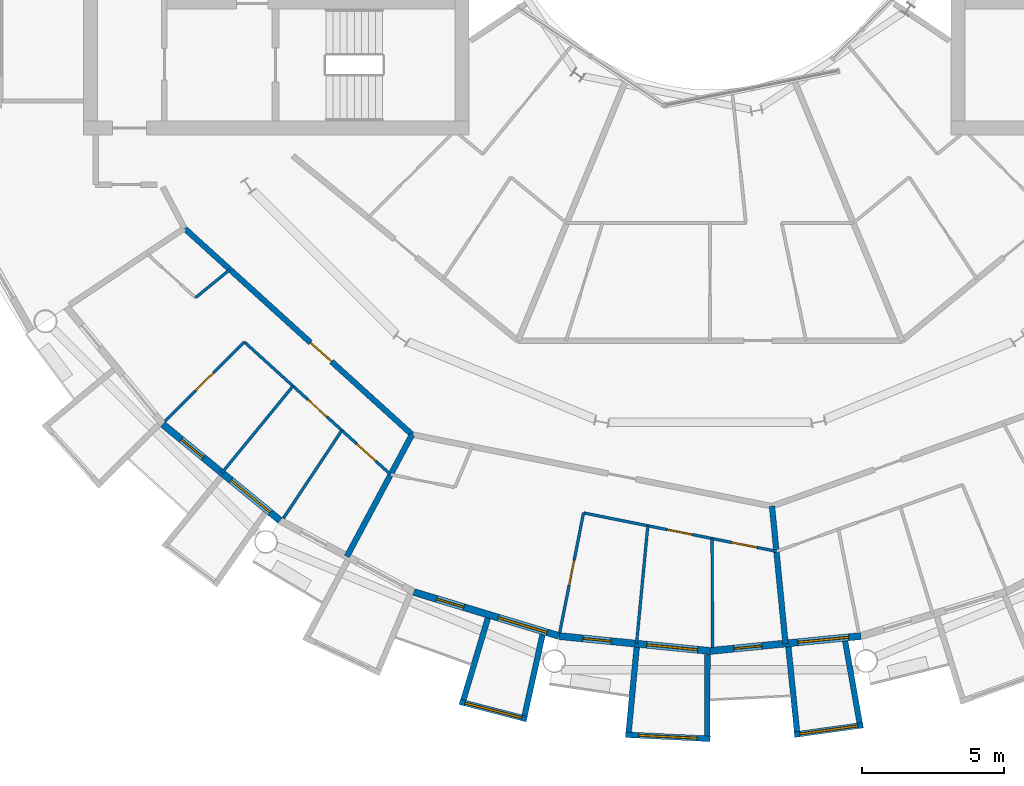
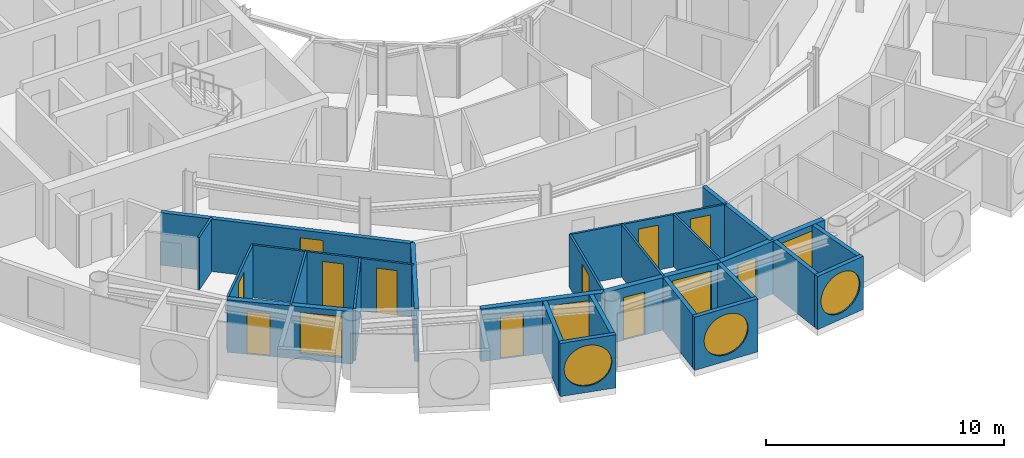
# One storey, part 14 of 28: 25 walls, 11 doors, 7 windows, 18 openings.
"""IFC4 building model written with IfcOpenShell, lengths in metres."""

from ifc_helpers import new_model, si_unit, direction, frame, frame_2d, origin, place, context, subcontext, project, spatial, rectangle, circle, extrude, material, layer, layer_set, type_object, element, fill, save


model = new_model("IFC4")

# Units and contexts
model_context = context("Model", 3, precision=1e-05, world=origin(), true_north=direction((0.0, 1.0)))
body_context = subcontext(model_context, "Body", "Model", "MODEL_VIEW")
ifc_project = project(units=[si_unit("LENGTHUNIT", "METRE"), si_unit("AREAUNIT", "SQUARE_METRE"), si_unit("VOLUMEUNIT", "CUBIC_METRE"), si_unit("PLANEANGLEUNIT", "RADIAN"), si_unit("MASSUNIT", "GRAM", prefix="KILO")], contexts=[model_context])

# Site, building, storey
site_placement = place(None, origin())
site = spatial("IfcSite", under=ifc_project, at=site_placement, CompositionType="ELEMENT")
building_placement = place(site_placement, origin())
building = spatial("IfcBuilding", under=site, at=building_placement, Name="Maasbend Ring Residences", CompositionType="ELEMENT")
storey_placement = place(building_placement, frame((0.0, 0.0, 173.800048828125)))
storey = spatial("IfcBuildingStorey", under=building, at=storey_placement, Name="L50", CompositionType="ELEMENT", Elevation=173.800048828125)

# Wall, opening, door
ifc_material_1 = material(Name="Concrete C30/37", Category="concrete")
ifc_layer_1 = layer(ifc_material_1, 0.199951171875)
ifc_layer_set_1 = layer_set([ifc_layer_1], Name="Concrete C30/37")
wall_type_1 = type_object("IfcWallType", Name="CORRIDOR WALL 200 CONCRETE", PredefinedType="PARTITIONING", material=ifc_layer_set_1)
wall_1_placement = place(storey_placement, frame((-18.5419921875, -12.388916015625, 0.0), z_axis=(0.0, 0.0, 1.0), x_axis=(0.740947367223, -0.671563101283, 0.0)))
wall_1 = element("IfcWall", 1, at=wall_1_placement, inside=storey, type_object=wall_type_1, Name="U-L50-w014", PredefinedType="PARTITIONING", context=body_context, shape_type="SweptSolid", body=[
    extrude(rectangle(XDim=10.83740234375, YDim=0.199951171875, at=frame_2d((5.418701171875, 0.0))), origin(), (0.0, 0.0, 1.0), 2.699951171875),
])
opening_1_placement = place(wall_1_placement, frame((6.001953125, 0.0, 0.0)))
opening_1 = element("IfcOpeningElement", 2, at=opening_1_placement, cuts=wall_1, Name="Opening D-5033", PredefinedType="OPENING", context=body_context, shape_type="SweptSolid", body=[
    extrude(rectangle(XDim=1.0, YDim=2.300048828125, at=frame_2d((0.5, 1.14990234375))), frame((0.0, 0.10986328125, 0.0), z_axis=(0.0, -1.0, 0.0), x_axis=(1.0, 0.0, 0.0)), (0.0, 0.0, 1.0), 0.219970703125),
])
ifc_material_2 = material(Name="Timber, fire-rated, painted", Category="wood")
door_type_1 = type_object("IfcDoorType", Name="FLAT ENTRANCE DOOR 1000 X 2300 FIRE-RATED", OperationType="NOTDEFINED", PredefinedType="DOOR", material=ifc_material_2)
door_1_placement = place(opening_1_placement, origin())
door_1 = element("IfcDoor", 3, at=door_1_placement, inside=storey, type_object=door_type_1, Name="D-5033", OperationType="SINGLE_SWING_RIGHT", OverallHeight=2.300048828125, OverallWidth=1.0, PredefinedType="DOOR", context=body_context, shape_type="SweptSolid", body=[
    extrude(rectangle(XDim=1.0, YDim=2.300048828125, at=frame_2d((0.5, 1.14990234375))), frame((0.0, 0.02490234375, 0.0), z_axis=(0.0, -1.0, 0.0), x_axis=(1.0, 0.0, 0.0)), (0.0, 0.0, 1.0), 0.050048828125),
])
fill(opening_1, door_1)

# Wall, opening, window
ifc_material_3 = material(Name="Pale anodised aluminium panel", Category="aluminium")
ifc_layer_2 = layer(ifc_material_3, 0.199951171875)
ifc_layer_set_2 = layer_set([ifc_layer_2], Name="EW-BOX")
wall_type_2 = type_object("IfcWallType", Name="EW-BOX", PredefinedType="SOLIDWALL", material=ifc_layer_set_2)
wall_2_placement = place(storey_placement, frame((-8.8291015625, -29.090087890625, -0.030029296875), z_axis=(0.0, 0.0, 1.0), x_axis=(0.96789536872, -0.251353446784, 0.0)))
wall_2 = element("IfcWall", 4, at=wall_2_placement, inside=storey, type_object=wall_type_2, Name="Box front S08", PredefinedType="SOLIDWALL", context=body_context, shape_type="SweptSolid", body=[
    extrude(rectangle(XDim=2.44677734375, YDim=0.199951171875, at=frame_2d((1.223388671875, 0.0))), origin(), (0.0, 0.0, 1.0), 2.72998046875),
])
opening_2_placement = place(wall_2_placement, frame((0.182861328125, 0.0, 0.330078125)))
opening_2 = element("IfcOpeningElement", 5, at=opening_2_placement, cuts=wall_2, Name="Opening W-RD", PredefinedType="OPENING", context=body_context, shape_type="SweptSolid", body=[
    extrude(circle(Radius=1.0400390625, at=frame_2d((1.0400390625, 1.0400390625))), frame((0.0, 0.10986328125, 0.0), z_axis=(0.0, -1.0, 0.0), x_axis=(1.0, 0.0, 0.0)), (0.0, 0.0, 1.0), 0.219970703125),
])
ifc_material_4 = material(Name="Aluminium and clear glass", Category="aluminium")
window_type_1 = type_object("IfcWindowType", Name="W-RD", PartitioningType="SINGLE_PANEL", PredefinedType="WINDOW", material=ifc_material_4)
window_1_placement = place(opening_2_placement, origin())
window_1 = element("IfcWindow", 6, at=window_1_placement, inside=storey, type_object=window_type_1, Name="Round window S08", OverallHeight=2.080078125, OverallWidth=2.080078125, PartitioningType="SINGLE_PANEL", PredefinedType="WINDOW", context=body_context, shape_type="SweptSolid", body=[
    extrude(circle(Radius=1.0400390625, at=frame_2d((1.0400390625, 1.0400390625))), frame((0.0, 0.030029296875, 0.0), z_axis=(0.0, -1.0, 0.0), x_axis=(1.0, 0.0, 0.0)), (0.0, 0.0, 1.0), 0.06005859375),
])
fill(opening_2, window_1)

# Walls
wall_3_placement = place(storey_placement, frame((-7.8369140625, -26.14404296875, -0.030029296875), z_axis=(0.0, 0.0, 1.0), x_axis=(-0.287064767992, -0.957911174889, 0.0)))
element("IfcWall", 7, at=wall_3_placement, inside=storey, type_object=wall_type_2, Name="Box side wall S08 left", PredefinedType="SOLIDWALL", context=body_context, shape_type="SweptSolid", body=[
    extrude(rectangle(XDim=3.00634765625, YDim=0.199951171875, at=frame_2d((1.503173828125, 0.0))), origin(), (0.0, 0.0, 1.0), 2.72998046875),
])
wall_4_placement = place(storey_placement, frame((-5.908935546875, -26.72900390625, -0.030029296875), z_axis=(0.0, 0.0, 1.0), x_axis=(-0.216409053917, -0.976302781612, 0.0)))
element("IfcWall", 8, at=wall_4_placement, inside=storey, type_object=wall_type_2, Name="Box side wall S08 right", PredefinedType="SOLIDWALL", context=body_context, shape_type="SweptSolid", body=[
    extrude(rectangle(XDim=2.92529296875, YDim=0.199951171875, at=frame_2d((1.462646484375, 0.0))), origin(), (0.0, 0.0, 1.0), 2.72998046875),
])

# Wall, opening, window
wall_5_placement = place(storey_placement, frame((-2.985107421875, -30.2529296875, -0.030029296875), z_axis=(0.0, 0.0, 1.0), x_axis=(0.998794083011, -0.049095618353, 0.0)))
wall_5 = element("IfcWall", 9, at=wall_5_placement, inside=storey, type_object=wall_type_2, Name="Box front S10", PredefinedType="SOLIDWALL", context=body_context, shape_type="SweptSolid", body=[
    extrude(rectangle(XDim=2.99365234375, YDim=0.199951171875, at=frame_2d((1.496826171875, 0.0))), origin(), (0.0, 0.0, 1.0), 2.72998046875),
])
opening_3_placement = place(wall_5_placement, frame((0.45654296875, 0.0, 0.330078125)))
opening_3 = element("IfcOpeningElement", 10, at=opening_3_placement, cuts=wall_5, Name="Opening W-RD", PredefinedType="OPENING", context=body_context, shape_type="SweptSolid", body=[
    extrude(circle(Radius=1.0400390625, at=frame_2d((1.0400390625, 1.0400390625))), frame((0.0, 0.10986328125, 0.0), z_axis=(0.0, -1.0, 0.0), x_axis=(1.0, 0.0, 0.0)), (0.0, 0.0, 1.0), 0.219970703125),
])
window_2_placement = place(opening_3_placement, origin())
window_2 = element("IfcWindow", 11, at=window_2_placement, inside=storey, type_object=window_type_1, Name="Round window S10", OverallHeight=2.080078125, OverallWidth=2.080078125, PartitioningType="SINGLE_PANEL", PredefinedType="WINDOW", context=body_context, shape_type="SweptSolid", body=[
    extrude(circle(Radius=1.0400390625, at=frame_2d((1.0400390625, 1.0400390625))), frame((0.0, 0.030029296875, 0.0), z_axis=(0.0, -1.0, 0.0), x_axis=(1.0, 0.0, 0.0)), (0.0, 0.0, 1.0), 0.06005859375),
])
fill(opening_3, window_2)

# Walls
wall_6_placement = place(storey_placement, frame((-2.5859375, -27.1708984375, -0.030029296875), z_axis=(0.0, 0.0, 1.0), x_axis=(-0.094548432284, -0.995520262954, 0.0)))
element("IfcWall", 12, at=wall_6_placement, inside=storey, type_object=wall_type_2, Name="Box side wall S10 left", PredefinedType="SOLIDWALL", context=body_context, shape_type="SweptSolid", body=[
    extrude(rectangle(XDim=3.005615234375, YDim=0.199951171875, at=frame_2d((1.5029296875, 0.0))), origin(), (0.0, 0.0, 1.0), 2.72998046875),
])
wall_7_placement = place(storey_placement, frame((-0.090087890625, -27.4169921875, -0.030029296875), z_axis=(0.0, 0.0, 1.0), x_axis=(-0.00347308367, -0.999993968827, 0.0)))
element("IfcWall", 13, at=wall_7_placement, inside=storey, type_object=wall_type_2, Name="Box side wall S10 right", PredefinedType="SOLIDWALL", context=body_context, shape_type="SweptSolid", body=[
    extrude(rectangle(XDim=2.882080078125, YDim=0.199951171875, at=frame_2d((1.44091796875, 0.0))), origin(), (0.0, 0.0, 1.0), 2.72998046875),
])

# Wall, opening, window
wall_8_placement = place(storey_placement, frame((2.97607421875, -30.25390625, -0.030029296875), z_axis=(0.0, 0.0, 1.0), x_axis=(0.990462016113, 0.137786046596, 0.0)))
wall_8 = element("IfcWall", 14, at=wall_8_placement, inside=storey, type_object=wall_type_2, Name="Box front S12", PredefinedType="SOLIDWALL", context=body_context, shape_type="SweptSolid", body=[
    extrude(rectangle(XDim=2.4453125, YDim=0.199951171875, at=frame_2d((1.22265625, 0.0))), origin(), (0.0, 0.0, 1.0), 2.72998046875),
])
opening_4_placement = place(wall_8_placement, frame((0.182861328125, 0.0, 0.330078125)))
opening_4 = element("IfcOpeningElement", 15, at=opening_4_placement, cuts=wall_8, Name="Opening W-RD", PredefinedType="OPENING", context=body_context, shape_type="SweptSolid", body=[
    extrude(circle(Radius=1.0400390625, at=frame_2d((1.0400390625, 1.0400390625))), frame((0.0, 0.10986328125, 0.0), z_axis=(0.0, -1.0, 0.0), x_axis=(1.0, 0.0, 0.0)), (0.0, 0.0, 1.0), 0.219970703125),
])
window_3_placement = place(opening_4_placement, origin())
window_3 = element("IfcWindow", 16, at=window_3_placement, inside=storey, type_object=window_type_1, Name="Round window S12", OverallHeight=2.080078125, OverallWidth=2.080078125, PartitioningType="SINGLE_PANEL", PredefinedType="WINDOW", context=body_context, shape_type="SweptSolid", body=[
    extrude(circle(Radius=1.0400390625, at=frame_2d((1.0400390625, 1.0400390625))), frame((0.0, 0.030029296875, 0.0), z_axis=(0.0, -1.0, 0.0), x_axis=(1.0, 0.0, 0.0)), (0.0, 0.0, 1.0), 0.06005859375),
])
fill(opening_4, window_3)

# Walls
wall_9_placement = place(storey_placement, frame((2.763916015625, -27.153076171875, -0.030029296875), z_axis=(0.0, 0.0, 1.0), x_axis=(0.101505487237, -0.994834979311, 0.0)))
element("IfcWall", 17, at=wall_9_placement, inside=storey, type_object=wall_type_2, Name="Box side wall S12 left", PredefinedType="SOLIDWALL", context=body_context, shape_type="SweptSolid", body=[
    extrude(rectangle(XDim=3.006591796875, YDim=0.199951171875, at=frame_2d((1.50341796875, 0.0))), origin(), (0.0, 0.0, 1.0), 2.72998046875),
])
wall_10_placement = place(storey_placement, frame((4.76904296875, -26.9560546875, -0.030029296875), z_axis=(0.0, 0.0, 1.0), x_axis=(0.174056778901, -0.984735618183, 0.0)))
element("IfcWall", 18, at=wall_10_placement, inside=storey, type_object=wall_type_2, Name="Box side wall S12 right", PredefinedType="SOLIDWALL", context=body_context, shape_type="SweptSolid", body=[
    extrude(rectangle(XDim=2.924560546875, YDim=0.199951171875, at=frame_2d((1.46240234375, 0.0))), origin(), (0.0, 0.0, 1.0), 2.72998046875),
])

# Wall, openings, door, window
ifc_material_5 = material(Name="Aluminium clad insulated panel", Category="aluminium")
ifc_layer_3 = layer(ifc_material_5, 0.25)
ifc_layer_set_3 = layer_set([ifc_layer_3], Name="EW-GL")
wall_type_3 = type_object("IfcWallType", Name="EW-GL", PredefinedType="SOLIDWALL", material=ifc_layer_set_3)
wall_11_placement = place(storey_placement, frame((-19.303955078125, -19.303955078125, 0.0), z_axis=(0.0, 0.0, 1.0), x_axis=(0.773019449054, -0.634382322723, 0.0)))
wall_11 = element("IfcWall", 19, at=wall_11_placement, inside=storey, type_object=wall_type_3, Name="External wall S02", PredefinedType="SOLIDWALL", context=body_context, shape_type="SweptSolid", body=[
    extrude(rectangle(XDim=5.351806640625, YDim=0.25, at=frame_2d((2.67578125, 0.0))), origin(), (0.0, 0.0, 1.0), 2.699951171875),
])
opening_5_placement = place(wall_11_placement, frame((0.841064453125, 0.0, 0.0)))
opening_5 = element("IfcOpeningElement", 20, at=opening_5_placement, cuts=wall_11, Name="Opening D-LG", PredefinedType="OPENING", context=body_context, shape_type="SweptSolid", body=[
    extrude(rectangle(XDim=1.0, YDim=2.199951171875, at=frame_2d((0.5, 1.10009765625))), frame((0.0, 0.135009765625, 0.0), z_axis=(0.0, -1.0, 0.0), x_axis=(1.0, 0.0, 0.0)), (0.0, 0.0, 1.0), 0.27001953125),
])
opening_6_placement = place(wall_11_placement, frame((3.110595703125, 0.0, 0.300048828125)))
opening_6 = element("IfcOpeningElement", 21, at=opening_6_placement, cuts=wall_11, Name="Opening W-BX", PredefinedType="OPENING", context=body_context, shape_type="SweptSolid", body=[
    extrude(rectangle(XDim=1.800048828125, YDim=2.10009765625, at=frame_2d((0.89990234375, 1.050048828125))), frame((0.0, 0.135009765625, 0.0), z_axis=(0.0, -1.0, 0.0), x_axis=(1.0, 0.0, 0.0)), (0.0, 0.0, 1.0), 0.27001953125),
])
ifc_material_6 = material(Name="Aluminium and clear glass", Category="aluminium")
door_type_2 = type_object("IfcDoorType", Name="D-LG", OperationType="SINGLE_SWING_LEFT", PredefinedType="DOOR", material=ifc_material_6)
door_2_placement = place(opening_5_placement, origin())
door_2 = element("IfcDoor", 22, at=door_2_placement, inside=storey, type_object=door_type_2, Name="Loggia door S03", OperationType="SINGLE_SWING_LEFT", OverallHeight=2.199951171875, OverallWidth=1.0, PredefinedType="DOOR", context=body_context, shape_type="SweptSolid", body=[
    extrude(rectangle(XDim=1.0, YDim=2.199951171875, at=frame_2d((0.5, 1.10009765625))), frame((0.0, 0.02490234375, 0.0), z_axis=(0.0, -1.0, 0.0), x_axis=(1.0, 0.0, 0.0)), (0.0, 0.0, 1.0), 0.050048828125),
])
fill(opening_5, door_2)
ifc_material_7 = material(Name="Aluminium and clear glass", Category="aluminium")
window_type_2 = type_object("IfcWindowType", Name="W-BX", PartitioningType="DOUBLE_PANEL_VERTICAL", PredefinedType="WINDOW", material=ifc_material_7)
window_4_placement = place(opening_6_placement, origin())
window_4 = element("IfcWindow", 23, at=window_4_placement, inside=storey, type_object=window_type_2, Name="Window S04 room to box", OverallHeight=2.10009765625, OverallWidth=1.800048828125, PartitioningType="SINGLE_PANEL", PredefinedType="WINDOW", context=body_context, shape_type="SweptSolid", body=[
    extrude(rectangle(XDim=1.800048828125, YDim=2.10009765625, at=frame_2d((0.89990234375, 1.050048828125))), frame((0.0, 0.030029296875, 0.0), z_axis=(0.0, -1.0, 0.0), x_axis=(1.0, 0.0, 0.0)), (0.0, 0.0, 1.0), 0.06005859375),
])
fill(opening_6, window_4)

wall_12_placement = place(storey_placement, frame((-10.447021484375, -25.221923828125, 0.0), z_axis=(0.0, 0.0, 1.0), x_axis=(0.956965678721, -0.290201119486, 0.0)))
wall_12 = element("IfcWall", 24, at=wall_12_placement, inside=storey, type_object=wall_type_3, Name="External wall S04", PredefinedType="SOLIDWALL", context=body_context, shape_type="SweptSolid", body=[
    extrude(rectangle(XDim=5.351318359375, YDim=0.25, at=frame_2d((2.67578125, 0.0))), origin(), (0.0, 0.0, 1.0), 2.699951171875),
])
opening_7_placement = place(wall_12_placement, frame((0.841064453125, 0.0, 0.0)))
opening_7 = element("IfcOpeningElement", 25, at=opening_7_placement, cuts=wall_12, Name="Opening D-LG", PredefinedType="OPENING", context=body_context, shape_type="SweptSolid", body=[
    extrude(rectangle(XDim=1.0, YDim=2.199951171875, at=frame_2d((0.5, 1.10009765625))), frame((0.0, 0.135009765625, 0.0), z_axis=(0.0, -1.0, 0.0), x_axis=(1.0, 0.0, 0.0)), (0.0, 0.0, 1.0), 0.27001953125),
])
opening_8_placement = place(wall_12_placement, frame((3.110595703125, 0.0, 0.300048828125)))
opening_8 = element("IfcOpeningElement", 26, at=opening_8_placement, cuts=wall_12, Name="Opening W-BX", PredefinedType="OPENING", context=body_context, shape_type="SweptSolid", body=[
    extrude(rectangle(XDim=1.800048828125, YDim=2.10009765625, at=frame_2d((0.89990234375, 1.050048828125))), frame((0.0, 0.135009765625, 0.0), z_axis=(0.0, -1.0, 0.0), x_axis=(1.0, 0.0, 0.0)), (0.0, 0.0, 1.0), 0.27001953125),
])
door_3_placement = place(opening_7_placement, origin())
door_3 = element("IfcDoor", 27, at=door_3_placement, inside=storey, type_object=door_type_2, Name="Loggia door S07", OperationType="SINGLE_SWING_LEFT", OverallHeight=2.199951171875, OverallWidth=1.0, PredefinedType="DOOR", context=body_context, shape_type="SweptSolid", body=[
    extrude(rectangle(XDim=1.0, YDim=2.199951171875, at=frame_2d((0.5, 1.10009765625))), frame((0.0, 0.02490234375, 0.0), z_axis=(0.0, -1.0, 0.0), x_axis=(1.0, 0.0, 0.0)), (0.0, 0.0, 1.0), 0.050048828125),
])
fill(opening_7, door_3)
window_5_placement = place(opening_8_placement, origin())
window_5 = element("IfcWindow", 28, at=window_5_placement, inside=storey, type_object=window_type_2, Name="Window S08 room to box", OverallHeight=2.10009765625, OverallWidth=1.800048828125, PartitioningType="SINGLE_PANEL", PredefinedType="WINDOW", context=body_context, shape_type="SweptSolid", body=[
    extrude(rectangle(XDim=1.800048828125, YDim=2.10009765625, at=frame_2d((0.89990234375, 1.050048828125))), frame((0.0, 0.030029296875, 0.0), z_axis=(0.0, -1.0, 0.0), x_axis=(1.0, 0.0, 0.0)), (0.0, 0.0, 1.0), 0.06005859375),
])
fill(opening_8, window_5)

wall_13_placement = place(storey_placement, frame((-5.325927734375, -26.77490234375, 0.0), z_axis=(0.0, 0.0, 1.0), x_axis=(0.995173996315, -0.098126026407, 0.0)))
wall_13 = element("IfcWall", 29, at=wall_13_placement, inside=storey, type_object=wall_type_3, Name="External wall S05", PredefinedType="SOLIDWALL", context=body_context, shape_type="SweptSolid", body=[
    extrude(rectangle(XDim=5.351806640625, YDim=0.25, at=frame_2d((2.67578125, 0.0))), origin(), (0.0, 0.0, 1.0), 2.699951171875),
])
opening_9_placement = place(wall_13_placement, frame((0.841064453125, 0.0, 0.0)))
opening_9 = element("IfcOpeningElement", 30, at=opening_9_placement, cuts=wall_13, Name="Opening D-LG", PredefinedType="OPENING", context=body_context, shape_type="SweptSolid", body=[
    extrude(rectangle(XDim=1.0, YDim=2.199951171875, at=frame_2d((0.5, 1.10009765625))), frame((0.0, 0.135009765625, 0.0), z_axis=(0.0, -1.0, 0.0), x_axis=(1.0, 0.0, 0.0)), (0.0, 0.0, 1.0), 0.27001953125),
])
opening_10_placement = place(wall_13_placement, frame((3.110595703125, 0.0, 0.300048828125)))
opening_10 = element("IfcOpeningElement", 31, at=opening_10_placement, cuts=wall_13, Name="Opening W-BX", PredefinedType="OPENING", context=body_context, shape_type="SweptSolid", body=[
    extrude(rectangle(XDim=1.800048828125, YDim=2.10009765625, at=frame_2d((0.89990234375, 1.050048828125))), frame((0.0, 0.135009765625, 0.0), z_axis=(0.0, -1.0, 0.0), x_axis=(1.0, 0.0, 0.0)), (0.0, 0.0, 1.0), 0.27001953125),
])
door_4_placement = place(opening_9_placement, origin())
door_4 = element("IfcDoor", 32, at=door_4_placement, inside=storey, type_object=door_type_2, Name="Loggia door S09", OperationType="SINGLE_SWING_LEFT", OverallHeight=2.199951171875, OverallWidth=1.0, PredefinedType="DOOR", context=body_context, shape_type="SweptSolid", body=[
    extrude(rectangle(XDim=1.0, YDim=2.199951171875, at=frame_2d((0.5, 1.10009765625))), frame((0.0, 0.02490234375, 0.0), z_axis=(0.0, -1.0, 0.0), x_axis=(1.0, 0.0, 0.0)), (0.0, 0.0, 1.0), 0.050048828125),
])
fill(opening_9, door_4)
window_6_placement = place(opening_10_placement, origin())
window_6 = element("IfcWindow", 33, at=window_6_placement, inside=storey, type_object=window_type_2, Name="Window S10 room to box", OverallHeight=2.10009765625, OverallWidth=1.800048828125, PartitioningType="SINGLE_PANEL", PredefinedType="WINDOW", context=body_context, shape_type="SweptSolid", body=[
    extrude(rectangle(XDim=1.800048828125, YDim=2.10009765625, at=frame_2d((0.89990234375, 1.050048828125))), frame((0.0, 0.030029296875, 0.0), z_axis=(0.0, -1.0, 0.0), x_axis=(1.0, 0.0, 0.0)), (0.0, 0.0, 1.0), 0.06005859375),
])
fill(opening_10, window_6)

wall_14_placement = place(storey_placement, frame((0.0, -27.300048828125, 0.0), z_axis=(0.0, 0.0, 1.0), x_axis=(0.995173996315, 0.098126026407, 0.0)))
wall_14 = element("IfcWall", 34, at=wall_14_placement, inside=storey, type_object=wall_type_3, Name="External wall S06", PredefinedType="SOLIDWALL", context=body_context, shape_type="SweptSolid", body=[
    extrude(rectangle(XDim=5.351806640625, YDim=0.25, at=frame_2d((2.67578125, 0.0))), origin(), (0.0, 0.0, 1.0), 2.699951171875),
])
opening_11_placement = place(wall_14_placement, frame((0.841064453125, 0.0, 0.0)))
opening_11 = element("IfcOpeningElement", 35, at=opening_11_placement, cuts=wall_14, Name="Opening D-LG", PredefinedType="OPENING", context=body_context, shape_type="SweptSolid", body=[
    extrude(rectangle(XDim=1.0, YDim=2.199951171875, at=frame_2d((0.5, 1.10009765625))), frame((0.0, 0.135009765625, 0.0), z_axis=(0.0, -1.0, 0.0), x_axis=(1.0, 0.0, 0.0)), (0.0, 0.0, 1.0), 0.27001953125),
])
opening_12_placement = place(wall_14_placement, frame((3.110595703125, 0.0, 0.300048828125)))
opening_12 = element("IfcOpeningElement", 36, at=opening_12_placement, cuts=wall_14, Name="Opening W-BX", PredefinedType="OPENING", context=body_context, shape_type="SweptSolid", body=[
    extrude(rectangle(XDim=1.800048828125, YDim=2.10009765625, at=frame_2d((0.89990234375, 1.050048828125))), frame((0.0, 0.135009765625, 0.0), z_axis=(0.0, -1.0, 0.0), x_axis=(1.0, 0.0, 0.0)), (0.0, 0.0, 1.0), 0.27001953125),
])
door_5_placement = place(opening_11_placement, origin())
door_5 = element("IfcDoor", 37, at=door_5_placement, inside=storey, type_object=door_type_2, Name="Loggia door S11", OperationType="SINGLE_SWING_LEFT", OverallHeight=2.199951171875, OverallWidth=1.0, PredefinedType="DOOR", context=body_context, shape_type="SweptSolid", body=[
    extrude(rectangle(XDim=1.0, YDim=2.199951171875, at=frame_2d((0.5, 1.10009765625))), frame((0.0, 0.02490234375, 0.0), z_axis=(0.0, -1.0, 0.0), x_axis=(1.0, 0.0, 0.0)), (0.0, 0.0, 1.0), 0.050048828125),
])
fill(opening_11, door_5)
window_7_placement = place(opening_12_placement, origin())
window_7 = element("IfcWindow", 38, at=window_7_placement, inside=storey, type_object=window_type_2, Name="Window S12 room to box", OverallHeight=2.10009765625, OverallWidth=1.800048828125, PartitioningType="SINGLE_PANEL", PredefinedType="WINDOW", context=body_context, shape_type="SweptSolid", body=[
    extrude(rectangle(XDim=1.800048828125, YDim=2.10009765625, at=frame_2d((0.89990234375, 1.050048828125))), frame((0.0, 0.030029296875, 0.0), z_axis=(0.0, -1.0, 0.0), x_axis=(1.0, 0.0, 0.0)), (0.0, 0.0, 1.0), 0.06005859375),
])
fill(opening_12, window_7)

# Wall, openings, doors
ifc_material_8 = material(Name="Gypsum board on steel studs", Category="steel")
ifc_layer_4 = layer(ifc_material_8, 0.10009765625)
ifc_layer_set_4 = layer_set([ifc_layer_4], Name="PARTITION 100 GYPSUM")
wall_type_4 = type_object("IfcWallType", Name="PARTITION 100 GYPSUM", PredefinedType="PARTITIONING", material=ifc_layer_set_4)
wall_15_placement = place(storey_placement, frame((-16.431884765625, -16.39599609375, 0.0), z_axis=(0.0, 0.0, 1.0), x_axis=(0.740901429238, -0.671613781986, 0.0)))
wall_15 = element("IfcWall", 39, at=wall_15_placement, inside=storey, type_object=wall_type_4, Name="U-L50-w004", PredefinedType="PARTITIONING", context=body_context, shape_type="SweptSolid", body=[
    extrude(rectangle(XDim=6.9697265625, YDim=0.10009765625, at=frame_2d((3.48486328125, 0.0))), origin(), (0.0, 0.0, 1.0), 2.699951171875),
])
opening_13_placement = place(wall_15_placement, frame((3.0380859375, 0.0, 0.0)))
opening_13 = element("IfcOpeningElement", 40, at=opening_13_placement, cuts=wall_15, Name="Opening D-5036", PredefinedType="OPENING", context=body_context, shape_type="SweptSolid", body=[
    extrude(rectangle(XDim=0.89990234375, YDim=2.300048828125, at=frame_2d((0.449951171875, 1.14990234375))), frame((0.0, 0.06005859375, 0.0), z_axis=(0.0, -1.0, 0.0), x_axis=(1.0, 0.0, 0.0)), (0.0, 0.0, 1.0), 0.1201171875),
])
opening_14_placement = place(wall_15_placement, frame((5.360107421875, 0.0, 0.0)))
opening_14 = element("IfcOpeningElement", 41, at=opening_14_placement, cuts=wall_15, Name="Opening D-5037", PredefinedType="OPENING", context=body_context, shape_type="SweptSolid", body=[
    extrude(rectangle(XDim=0.89990234375, YDim=2.300048828125, at=frame_2d((0.449951171875, 1.14990234375))), frame((0.0, 0.06005859375, 0.0), z_axis=(0.0, -1.0, 0.0), x_axis=(1.0, 0.0, 0.0)), (0.0, 0.0, 1.0), 0.1201171875),
])
ifc_material_9 = material(Name="Timber, painted", Category="wood")
door_type_3 = type_object("IfcDoorType", Name="INTERNAL DOOR 900 X 2300", OperationType="NOTDEFINED", PredefinedType="DOOR", material=ifc_material_9)
door_6_placement = place(opening_13_placement, origin())
door_6 = element("IfcDoor", 42, at=door_6_placement, inside=storey, type_object=door_type_3, Name="D-5036", OperationType="SINGLE_SWING_RIGHT", OverallHeight=2.300048828125, OverallWidth=0.89990234375, PredefinedType="DOOR", context=body_context, shape_type="SweptSolid", body=[
    extrude(rectangle(XDim=0.89990234375, YDim=2.300048828125, at=frame_2d((0.449951171875, 1.14990234375))), frame((0.0, 0.02490234375, 0.0), z_axis=(0.0, -1.0, 0.0), x_axis=(1.0, 0.0, 0.0)), (0.0, 0.0, 1.0), 0.050048828125),
])
fill(opening_13, door_6)
door_7_placement = place(opening_14_placement, origin())
door_7 = element("IfcDoor", 43, at=door_7_placement, inside=storey, type_object=door_type_3, Name="D-5037", OperationType="SINGLE_SWING_RIGHT", OverallHeight=2.300048828125, OverallWidth=0.89990234375, PredefinedType="DOOR", context=body_context, shape_type="SweptSolid", body=[
    extrude(rectangle(XDim=0.89990234375, YDim=2.300048828125, at=frame_2d((0.449951171875, 1.14990234375))), frame((0.0, 0.02490234375, 0.0), z_axis=(0.0, -1.0, 0.0), x_axis=(1.0, 0.0, 0.0)), (0.0, 0.0, 1.0), 0.050048828125),
])
fill(opening_14, door_7)

wall_16_placement = place(storey_placement, frame((-4.4619140625, -22.430908203125, 0.0), z_axis=(0.0, 0.0, 1.0), x_axis=(0.980773728025, -0.195148390759, 0.0)))
wall_16 = element("IfcWall", 44, at=wall_16_placement, inside=storey, type_object=wall_type_4, Name="U-L50-w008", PredefinedType="PARTITIONING", context=body_context, shape_type="SweptSolid", body=[
    extrude(rectangle(XDim=6.938232421875, YDim=0.10009765625, at=frame_2d((3.46923828125, 0.0))), origin(), (0.0, 0.0, 1.0), 2.699951171875),
])
opening_15_placement = place(wall_16_placement, frame((3.01806640625, 0.0, 0.0)))
opening_15 = element("IfcOpeningElement", 45, at=opening_15_placement, cuts=wall_16, Name="Opening D-5041", PredefinedType="OPENING", context=body_context, shape_type="SweptSolid", body=[
    extrude(rectangle(XDim=0.89990234375, YDim=2.300048828125, at=frame_2d((0.449951171875, 1.14990234375))), frame((0.0, 0.06005859375, 0.0), z_axis=(0.0, -1.0, 0.0), x_axis=(1.0, 0.0, 0.0)), (0.0, 0.0, 1.0), 0.1201171875),
])
opening_16_placement = place(wall_16_placement, frame((5.33203125, 0.0, 0.0)))
opening_16 = element("IfcOpeningElement", 46, at=opening_16_placement, cuts=wall_16, Name="Opening D-5042", PredefinedType="OPENING", context=body_context, shape_type="SweptSolid", body=[
    extrude(rectangle(XDim=0.89990234375, YDim=2.300048828125, at=frame_2d((0.449951171875, 1.14990234375))), frame((0.0, 0.06005859375, 0.0), z_axis=(0.0, -1.0, 0.0), x_axis=(1.0, 0.0, 0.0)), (0.0, 0.0, 1.0), 0.1201171875),
])
door_8_placement = place(opening_15_placement, origin())
door_8 = element("IfcDoor", 47, at=door_8_placement, inside=storey, type_object=door_type_3, Name="D-5041", OperationType="SINGLE_SWING_LEFT", OverallHeight=2.300048828125, OverallWidth=0.89990234375, PredefinedType="DOOR", context=body_context, shape_type="SweptSolid", body=[
    extrude(rectangle(XDim=0.89990234375, YDim=2.300048828125, at=frame_2d((0.449951171875, 1.14990234375))), frame((0.0, 0.02490234375, 0.0), z_axis=(0.0, -1.0, 0.0), x_axis=(1.0, 0.0, 0.0)), (0.0, 0.0, 1.0), 0.050048828125),
])
fill(opening_15, door_8)
door_9_placement = place(opening_16_placement, origin())
door_9 = element("IfcDoor", 48, at=door_9_placement, inside=storey, type_object=door_type_3, Name="D-5042", OperationType="SINGLE_SWING_RIGHT", OverallHeight=2.300048828125, OverallWidth=0.89990234375, PredefinedType="DOOR", context=body_context, shape_type="SweptSolid", body=[
    extrude(rectangle(XDim=0.89990234375, YDim=2.300048828125, at=frame_2d((0.449951171875, 1.14990234375))), frame((0.0, 0.02490234375, 0.0), z_axis=(0.0, -1.0, 0.0), x_axis=(1.0, 0.0, 0.0)), (0.0, 0.0, 1.0), 0.050048828125),
])
fill(opening_16, door_9)

# Wall, opening, door
wall_17_placement = place(storey_placement, frame((-19.23388671875, -19.197021484375, 0.0), z_axis=(0.0, 0.0, 1.0), x_axis=(0.707722727509, 0.706490297858, 0.0)))
wall_17 = element("IfcWall", 49, at=wall_17_placement, inside=storey, type_object=wall_type_4, Name="U-L50-w035", PredefinedType="PARTITIONING", context=body_context, shape_type="SweptSolid", body=[
    extrude(rectangle(XDim=3.9619140625, YDim=0.10009765625, at=frame_2d((1.98095703125, 0.0))), origin(), (0.0, 0.0, 1.0), 2.699951171875),
])
opening_17_placement = place(wall_17_placement, frame((1.531005859375, 0.0, 0.0)))
opening_17 = element("IfcOpeningElement", 50, at=opening_17_placement, cuts=wall_17, Name="Opening D-5035", PredefinedType="OPENING", context=body_context, shape_type="SweptSolid", body=[
    extrude(rectangle(XDim=0.89990234375, YDim=2.300048828125, at=frame_2d((0.449951171875, 1.14990234375))), frame((0.0, 0.06005859375, 0.0), z_axis=(0.0, -1.0, 0.0), x_axis=(1.0, 0.0, 0.0)), (0.0, 0.0, 1.0), 0.1201171875),
])
door_10_placement = place(opening_17_placement, origin())
door_10 = element("IfcDoor", 51, at=door_10_placement, inside=storey, type_object=door_type_3, Name="D-5035", OperationType="SINGLE_SWING_LEFT", OverallHeight=2.300048828125, OverallWidth=0.89990234375, PredefinedType="DOOR", context=body_context, shape_type="SweptSolid", body=[
    extrude(rectangle(XDim=0.89990234375, YDim=2.300048828125, at=frame_2d((0.449951171875, 1.14990234375))), frame((0.0, 0.02490234375, 0.0), z_axis=(0.0, -1.0, 0.0), x_axis=(1.0, 0.0, 0.0)), (0.0, 0.0, 1.0), 0.050048828125),
])
fill(opening_17, door_10)

# Walls
wall_18_placement = place(storey_placement, frame((-18.15087890625, -14.837890625, 0.0), z_axis=(0.0, 0.0, 1.0), x_axis=(0.774283039722, 0.632839453889, 0.0)))
element("IfcWall", 52, at=wall_18_placement, inside=storey, type_object=wall_type_4, Name="U-L50-w037", PredefinedType="PARTITIONING", context=body_context, shape_type="SweptSolid", body=[
    extrude(rectangle(XDim=1.569091796875, YDim=0.10009765625, at=frame_2d((0.78466796875, 0.0))), origin(), (0.0, 0.0, 1.0), 2.699951171875),
])
wall_19_placement = place(storey_placement, frame((-17.222900390625, -21.02001953125, 0.0), z_axis=(0.0, 0.0, 1.0), x_axis=(0.633858457021, 0.773449065203, 0.0)))
element("IfcWall", 53, at=wall_19_placement, inside=storey, type_object=wall_type_4, Name="U-L50-w039", PredefinedType="PARTITIONING", context=body_context, shape_type="SweptSolid", body=[
    extrude(rectangle(XDim=3.96142578125, YDim=0.10009765625, at=frame_2d((1.980712890625, 0.0))), origin(), (0.0, 0.0, 1.0), 2.699951171875),
])
wall_20_placement = place(storey_placement, frame((-15.053955078125, -22.6240234375, 0.0), z_axis=(0.0, 0.0, 1.0), x_axis=(0.553823887887, 0.83263383381, 0.0)))
element("IfcWall", 54, at=wall_20_placement, inside=storey, type_object=wall_type_4, Name="U-L50-w040", PredefinedType="PARTITIONING", context=body_context, shape_type="SweptSolid", body=[
    extrude(rectangle(XDim=3.730224609375, YDim=0.10009765625, at=frame_2d((1.865234375, 0.0))), origin(), (0.0, 0.0, 1.0), 2.699951171875),
])

# Wall, opening, door
wall_21_placement = place(storey_placement, frame((-5.302001953125, -26.653076171875, 0.0), z_axis=(0.0, 0.0, 1.0), x_axis=(0.195145394338, 0.98077432423, 0.0)))
wall_21 = element("IfcWall", 55, at=wall_21_placement, inside=storey, type_object=wall_type_4, Name="U-L50-w053", PredefinedType="PARTITIONING", context=body_context, shape_type="SweptSolid", body=[
    extrude(rectangle(XDim=4.304931640625, YDim=0.10009765625, at=frame_2d((2.15234375, 0.0))), origin(), (0.0, 0.0, 1.0), 2.699951171875),
])
opening_18_placement = place(wall_21_placement, frame((1.701904296875, 0.0, 0.0)))
opening_18 = element("IfcOpeningElement", 56, at=opening_18_placement, cuts=wall_21, Name="Opening D-5040", PredefinedType="OPENING", context=body_context, shape_type="SweptSolid", body=[
    extrude(rectangle(XDim=0.89990234375, YDim=2.300048828125, at=frame_2d((0.449951171875, 1.14990234375))), frame((0.0, 0.06005859375, 0.0), z_axis=(0.0, -1.0, 0.0), x_axis=(1.0, 0.0, 0.0)), (0.0, 0.0, 1.0), 0.1201171875),
])
door_11_placement = place(opening_18_placement, origin())
door_11 = element("IfcDoor", 57, at=door_11_placement, inside=storey, type_object=door_type_3, Name="D-5040", OperationType="SINGLE_SWING_RIGHT", OverallHeight=2.300048828125, OverallWidth=0.89990234375, PredefinedType="DOOR", context=body_context, shape_type="SweptSolid", body=[
    extrude(rectangle(XDim=0.89990234375, YDim=2.300048828125, at=frame_2d((0.449951171875, 1.14990234375))), frame((0.0, 0.02490234375, 0.0), z_axis=(0.0, -1.0, 0.0), x_axis=(1.0, 0.0, 0.0)), (0.0, 0.0, 1.0), 0.050048828125),
])
fill(opening_18, door_11)

# Walls
wall_22_placement = place(storey_placement, frame((-2.593017578125, -27.051025390625, 0.0), z_axis=(0.0, 0.0, 1.0), x_axis=(0.095276864271, 0.995450812012, 0.0)))
element("IfcWall", 58, at=wall_22_placement, inside=storey, type_object=wall_type_4, Name="U-L50-w058", PredefinedType="PARTITIONING", context=body_context, shape_type="SweptSolid", body=[
    extrude(rectangle(XDim=4.18701171875, YDim=0.10009765625, at=frame_2d((2.093505859375, 0.0))), origin(), (0.0, 0.0, 1.0), 2.699951171875),
])
wall_23_placement = place(storey_placement, frame((0.0869140625, -27.175048828125, 0.0), z_axis=(0.0, 0.0, 1.0), x_axis=(-0.003368696325, 0.999994325926, 0.0)))
element("IfcWall", 59, at=wall_23_placement, inside=storey, type_object=wall_type_4, Name="U-L50-w063", PredefinedType="PARTITIONING", context=body_context, shape_type="SweptSolid", body=[
    extrude(rectangle(XDim=3.841064453125, YDim=0.10009765625, at=frame_2d((1.92041015625, 0.0))), origin(), (0.0, 0.0, 1.0), 2.699951171875),
])
ifc_material_10 = material(Name="Concrete C30/37", Category="concrete")
ifc_layer_5 = layer(ifc_material_10, 0.199951171875)
ifc_layer_set_5 = layer_set([ifc_layer_5], Name="Concrete C30/37")
wall_type_5 = type_object("IfcWallType", Name="PARTY WALL 200 CONCRETE", PredefinedType="PARTITIONING", material=ifc_layer_set_5)
wall_24_placement = place(storey_placement, frame((-12.81005859375, -23.966064453125, 0.0), z_axis=(0.0, 0.0, 1.0), x_axis=(0.471427642527, 0.881904744211, 0.0)))
element("IfcWall", 60, at=wall_24_placement, inside=storey, type_object=wall_type_5, Name="U-L50-w042", PredefinedType="PARTITIONING", context=body_context, shape_type="SweptSolid", body=[
    extrude(rectangle(XDim=4.874755859375, YDim=0.199951171875, at=frame_2d((2.4375, 0.0))), origin(), (0.0, 0.0, 1.0), 2.699951171875),
])
wall_25_placement = place(storey_placement, frame((2.18603515625, -22.193115234375, 0.0), z_axis=(0.0, 0.0, 1.0), x_axis=(0.098070432075, -0.995179476453, 0.0)))
element("IfcWall", 61, at=wall_25_placement, inside=storey, type_object=wall_type_5, Name="U-L50-w066", PredefinedType="PARTITIONING", context=body_context, shape_type="SweptSolid", body=[
    extrude(rectangle(XDim=4.874267578125, YDim=0.199951171875, at=frame_2d((2.43701171875, 0.0))), origin(), (0.0, 0.0, 1.0), 2.699951171875),
])

save(model, "model.ifc")
